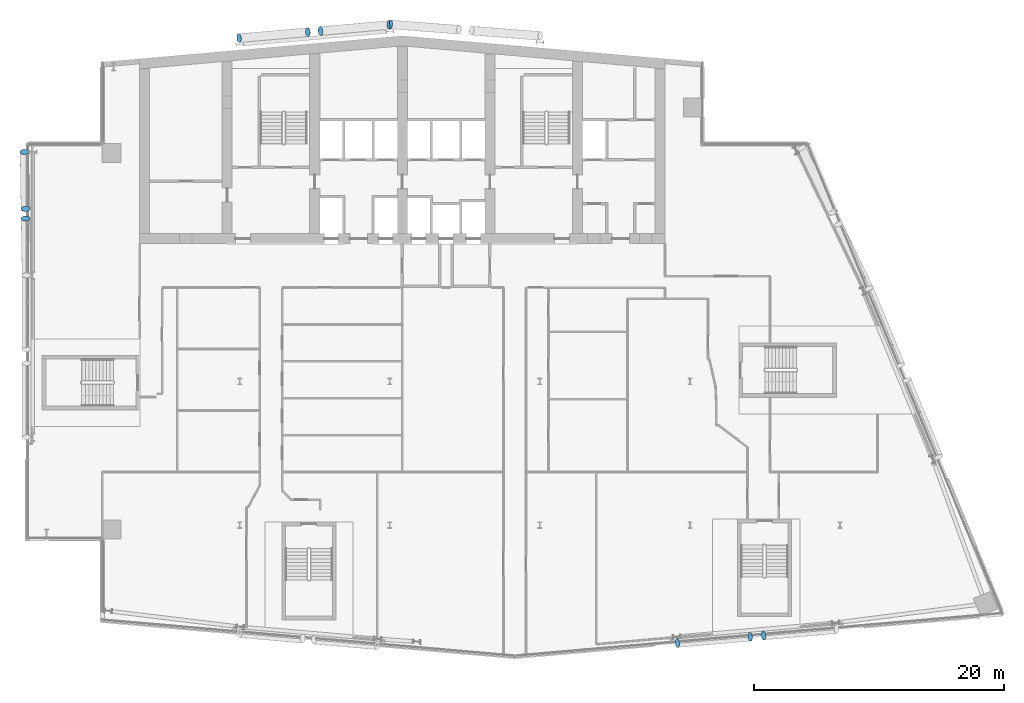
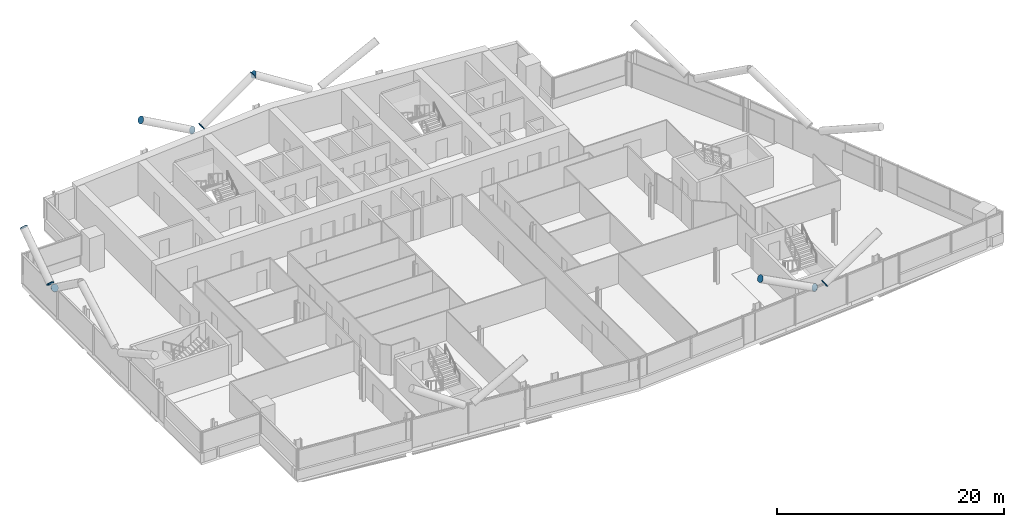
# One storey, part 21 of 26: 11 discrete accessories.
"""IFC4 building model written with IfcOpenShell, lengths in metres."""

from ifc_helpers import new_model, si_unit, direction, frame, origin, origin_2d, place, context, subcontext, project, spatial, circle, extrude, material, material_profile, profile_set, type_object, element, save


model = new_model("IFC4")

# Units and contexts
model_context = context("Model", 3, precision=1e-05, world=origin(), true_north=direction((0.0, 1.0)))
body_context = subcontext(model_context, "Body", "Model", "MODEL_VIEW")
ifc_project = project(units=[si_unit("LENGTHUNIT", "METRE"), si_unit("AREAUNIT", "SQUARE_METRE"), si_unit("VOLUMEUNIT", "CUBIC_METRE"), si_unit("PLANEANGLEUNIT", "RADIAN"), si_unit("MASSUNIT", "GRAM", prefix="KILO")], contexts=[model_context])

# Site, building, storey
site_placement = place(None, origin())
site = spatial("IfcSite", under=ifc_project, at=site_placement, CompositionType="ELEMENT")
building_placement = place(site_placement, origin())
building = spatial("IfcBuilding", under=site, at=building_placement, Name="Wharfspan Tower", CompositionType="ELEMENT")
storey_placement = place(building_placement, frame((0.0, 0.0, 173.5)))
storey = spatial("IfcBuildingStorey", under=building, at=storey_placement, Name="L42", CompositionType="ELEMENT", Elevation=173.5)

# Discrete accessories
ifc_material = material(Name="Steel S460NH", Category="steel")
ifc_material_profile = material_profile(ifc_material, circle(Radius=0.355469, at=origin_2d()))
ifc_profile_set = profile_set([ifc_material_profile], Name="Steel S460NH")
discrete_accessory_type = type_object("IfcDiscreteAccessoryType", Name="End plate CHS 711x36", PredefinedType="BRACKET", material=ifc_profile_set)
for number, where, z_axis, x_axis, name in (
    (1, (65.88916, 2.672852, 3.202637), (0.871847, 0.072654, 0.484359), (-0.083044, 0.996547, -3e-06), "End plate CHS 711x36"),
    (2, (64.821533, 2.579346, 3.202637), (-0.871847, -0.072654, 0.484359), (0.083044, -0.996547, -3e-06), "End plate CHS 711x36"),
    (3, (59.004883, 2.070557, 6.5), (-0.871847, -0.072654, 0.484359), (0.083044, -0.996547, -3e-06), "End plate CHS 711x36"),
    (4, (6.872559, 36.01709, 3.179199), (0.0245, -0.808493, 0.587995), (0.999537, 0.03029, 1e-06), "End plate CHS 711x36"),
):
    element("IfcDiscreteAccessory", number, at=place(storey_placement, frame(where, z_axis=z_axis, x_axis=x_axis)), inside=storey, type_object=discrete_accessory_type, Name=name, PredefinedType="BRACKET", context=body_context, shape_type="SweptSolid", body=[
        extrude(circle(Radius=0.355469, at=origin_2d()), origin(), (0.0, 0.0, 1.0), 0.01001),
    ])
discrete_accessory_placement = place(storey_placement, frame((6.860352, 36.782471, 3.179199), z_axis=(0.0, 0.816968, 0.576683), x_axis=(-1.0, 0.0, 0.0)))
element("IfcDiscreteAccessory", 5, at=discrete_accessory_placement, inside=storey, type_object=discrete_accessory_type, Name="End plate CHS 711x36", PredefinedType="BRACKET", context=body_context, shape_type="SweptSolid", body=[
    extrude(circle(Radius=0.355469, at=origin_2d()), origin(), (0.0, 0.0, 1.0), 0.010254),
])
for number, where, z_axis, x_axis, name in (
    (6, (6.788086, 41.333008, 6.5), (-0.0245, 0.808493, 0.587995), (-0.999537, -0.03029, 1e-06), "End plate CHS 711x36"),
    (7, (30.452881, 51.006348, 3.197998), (0.855186, 0.073302, 0.513112), (-0.085402, 0.996345, 1e-06), "End plate CHS 711x36"),
    (8, (35.956299, 51.487793, 6.5), (0.855186, 0.073302, 0.513112), (-0.085402, 0.996345, 1e-06), "End plate CHS 711x36"),
    (9, (29.459473, 50.919434, 3.197998), (-0.855186, -0.073302, 0.513112), (0.085402, -0.996345, 1e-06), "End plate CHS 711x36"),
    (10, (23.956299, 50.437988, 6.5), (-0.855186, -0.073302, 0.513112), (0.085402, -0.996345, 1e-06), "End plate CHS 711x36"),
    (11, (36.039795, 51.53418, 6.5), (-0.856465, 0.048941, 0.513879), (-0.05705, -0.998372, 0.0), "End plate CHS 711x36"),
):
    element("IfcDiscreteAccessory", number, at=place(storey_placement, frame(where, z_axis=z_axis, x_axis=x_axis)), inside=storey, type_object=discrete_accessory_type, Name=name, PredefinedType="BRACKET", context=body_context, shape_type="SweptSolid", body=[
        extrude(circle(Radius=0.355469, at=origin_2d()), origin(), (0.0, 0.0, 1.0), 0.01001),
    ])

save(model, "model.ifc")
